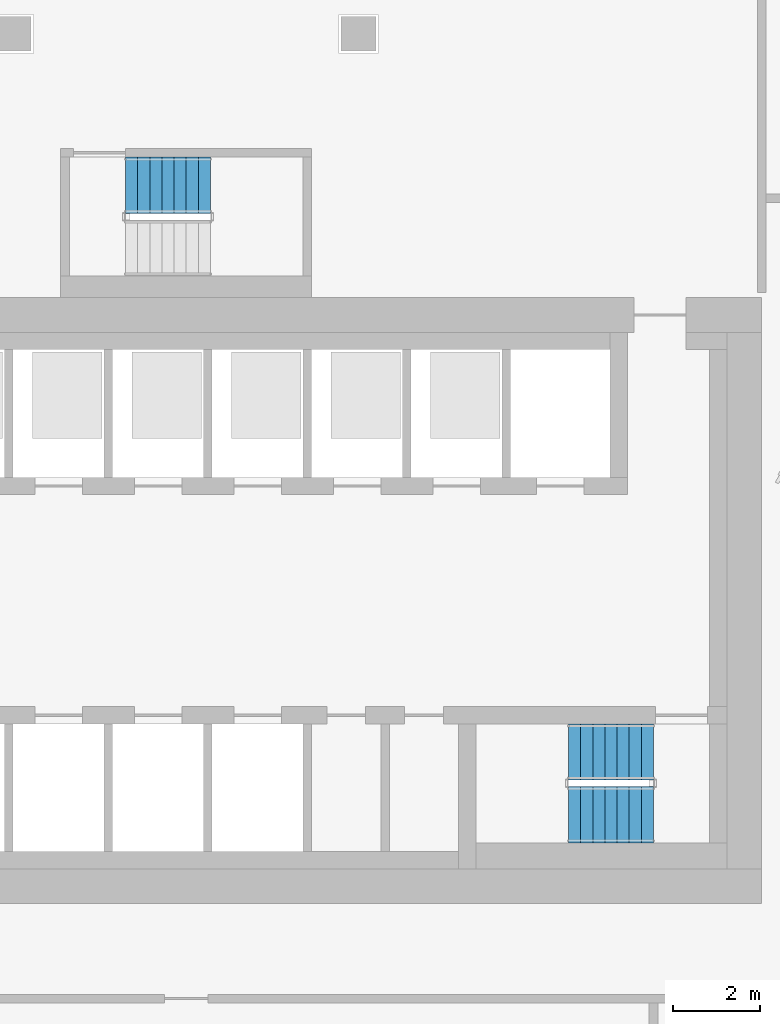
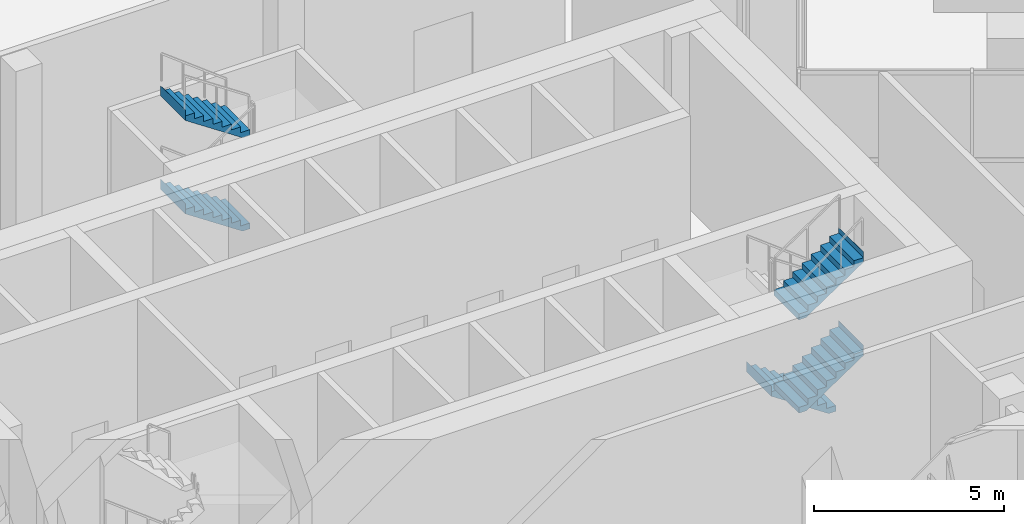
# One storey, part 20 of 27: 5 stair flights, 2 elements without a shape of their own.
"""IFC4 building model written with IfcOpenShell, lengths in metres."""

import ifcopenshell
import ifcopenshell.guid

model = None  # the IFC model being written
_history = None  # IfcOwnerHistory: only IFC2X3 demands one
_inside = {}  # id of a spatial element -> (the spatial element, [elements in it])
_under = {}  # id of a project, library or spatial element -> (it, [spatial elements below it])
_declared = {}  # id of a project -> (the project, [libraries it declares])
_typed = {}  # id of a type object -> (the type object, [elements of that type])
_made_of = {}  # id of a material, layer set ... -> (it, [elements and type objects made of it])


def new_model(schema):
    """Start an empty IFC model of exactly this schema.

    Asked for "IFC4X3", IfcOpenShell would pick the latest addendum, in which some entities
    have other attributes; the version numbers below select the first issue.
    IFC2X3 requires an IfcOwnerHistory on every rooted entity: one is made here for all.
    """
    global model, _history
    if schema == "IFC4X3":
        model = ifcopenshell.file(schema_version=(4, 3, 0, 0))
    else:
        model = ifcopenshell.file(schema=schema)
    _inside.clear()
    _under.clear()
    _declared.clear()
    _typed.clear()
    _made_of.clear()
    _history = None
    if model.schema == "IFC2X3":
        org = make("IfcOrganization", Name="unknown")
        user = make(
            "IfcPersonAndOrganization",
            ThePerson=make("IfcPerson", FamilyName="unknown"),
            TheOrganization=org,
        )
        app = make(
            "IfcApplication",
            ApplicationDeveloper=org,
            Version="unknown",
            ApplicationFullName="unknown",
            ApplicationIdentifier="unknown",
        )
        _history = make(
            "IfcOwnerHistory",
            OwningUser=user,
            OwningApplication=app,
            ChangeAction="ADDED",
            CreationDate=0,
        )
    return model


def make(cls, **values):
    """One entity of the class cls with the attributes given. An attribute that is None is left unset."""
    return model.create_entity(
        cls, **{name: value for name, value in values.items() if value is not None}
    )


def rooted(cls, **values):
    """An entity with a GlobalId (a new one), such as an element, a storey or a relation."""
    return make(cls, GlobalId=ifcopenshell.guid.new(), OwnerHistory=_history, **values)


def si_unit(unit_type, name, prefix=None):
    """IfcSIUnit, for example si_unit("LENGTHUNIT", "METRE", prefix="MILLI")."""
    return make("IfcSIUnit", UnitType=unit_type, Prefix=prefix, Name=name)


def assignment(units):
    """IfcUnitAssignment: the units of a project."""
    return None if units is None else make("IfcUnitAssignment", Units=units)


def point(xyz):
    """IfcCartesianPoint."""
    return None if xyz is None else make("IfcCartesianPoint", Coordinates=xyz)


def direction(xyz):
    """IfcDirection."""
    return None if xyz is None else make("IfcDirection", DirectionRatios=xyz)


def frame(location, z_axis=None, x_axis=None):
    """IfcAxis2Placement3D, a coordinate frame: its origin and axes. An axis left out is left unset."""
    return make(
        "IfcAxis2Placement3D",
        Location=point(location),
        Axis=direction(z_axis),
        RefDirection=direction(x_axis),
    )


def origin():
    """The frame at (0, 0, 0) with its axes left unset."""
    return frame((0.0, 0.0, 0.0))


def place(relative_to, where):
    """IfcLocalPlacement: puts the frame where relative to a parent placement (None: the world)."""
    return make(
        "IfcLocalPlacement", PlacementRelTo=relative_to, RelativePlacement=where
    )


def context(
    kind, dimensions, precision=None, world=None, true_north=None, identifier=None
):
    """IfcGeometricRepresentationContext, for example the 3D "Model" context."""
    return make(
        "IfcGeometricRepresentationContext",
        ContextIdentifier=identifier,
        ContextType=kind,
        CoordinateSpaceDimension=dimensions,
        Precision=precision,
        WorldCoordinateSystem=world,
        TrueNorth=true_north,
    )


def subcontext(parent, identifier, kind, view, scale=None):
    """IfcGeometricRepresentationSubContext, for example "Body" below "Model"."""
    return make(
        "IfcGeometricRepresentationSubContext",
        ContextIdentifier=identifier,
        ContextType=kind,
        ParentContext=parent,
        TargetScale=scale,
        TargetView=view,
    )


def project(units=None, contexts=None):
    """IfcProject with its units and contexts."""
    return rooted(
        "IfcProject",
        Name="project",
        RepresentationContexts=contexts,
        UnitsInContext=assignment(units),
    )


def spatial(cls, under=None, at=None, **own):
    """A site, building, storey or space (cls), placed at a placement, below another one or the project."""
    s = rooted(cls, ObjectPlacement=at, **own)
    if under is not None:
        _under.setdefault(under.id(), (under, []))[1].append(s)
    return s


def point_list(points):
    """IfcCartesianPointList2D or 3D."""
    cls = (
        "IfcCartesianPointList2D" if len(points[0]) == 2 else "IfcCartesianPointList3D"
    )
    return make(cls, CoordList=points)


def triangles(points, corners, closed=None, point_numbers=None):
    """IfcTriangulatedFaceSet: each triangle names its three corners, points numbered from 1."""
    return make(
        "IfcTriangulatedFaceSet",
        Coordinates=point_list(points),
        Closed=closed,
        CoordIndex=corners,
        PnIndex=point_numbers,
    )


def shape(context_of_items, identifier, shape_type, items):
    """IfcShapeRepresentation: the items that make up one representation, for example the "Body"."""
    return make(
        "IfcShapeRepresentation",
        ContextOfItems=context_of_items,
        RepresentationIdentifier=identifier,
        RepresentationType=shape_type,
        Items=items,
    )


def material(Name=None, Category=None):
    """IfcMaterial."""
    return make("IfcMaterial", Name=Name, Category=Category)


def made_of(thing, what):
    """Note that an element or type object is made of a material, layer set ...; save() writes the relation."""
    if what is not None:
        _made_of.setdefault(what.id(), (what, []))[1].append(thing)
    return thing


def type_object(cls, material=None, **own):
    """A type object (cls), such as IfcWallType, which elements share."""
    return made_of(rooted(cls, **own), material)


def element(
    cls,
    number,
    at=None,
    inside=None,
    cuts=None,
    type_object=None,
    material=None,
    context=None,
    identifier="Body",
    shape_type=None,
    held_by="IfcProductDefinitionShape",
    body=None,
    shapes=None,
    **own,
):
    """One element of the class cls, such as IfcWall. Its Tag is "e" and its number.

    at: its placement. inside: the storey or other place that contains it. cuts: it is an
    opening in that element (IfcRelVoidsElement). A single representation is given by context,
    identifier, shape_type and body (its items); several are given by shapes. held_by: the class
    of the entity that holds the representations. save() writes the other relations.
    """
    e = rooted(cls, Tag="e%d" % number, ObjectPlacement=at, **own)
    if body is not None:
        shapes = [shape(context, identifier, shape_type, body)]
    if shapes is not None:
        e.Representation = make(held_by, Representations=shapes)
    if inside is not None:
        _inside.setdefault(inside.id(), (inside, []))[1].append(e)
    if cuts is not None:
        rooted(
            "IfcRelVoidsElement", RelatingBuildingElement=cuts, RelatedOpeningElement=e
        )
    if type_object is not None:
        _typed.setdefault(type_object.id(), (type_object, []))[1].append(e)
    return made_of(e, material)


def aggregate(whole, parts):
    """IfcRelAggregates: a whole, such as a stair, and the parts it consists of."""
    return rooted("IfcRelAggregates", RelatingObject=whole, RelatedObjects=parts)


def save(model, path):
    """Write the relations noted so far, then the file.

    IfcRelAggregates (storeys below a building ...), IfcRelContainedInSpatialStructure (elements
    in a storey), IfcRelDefinesByType, IfcRelAssociatesMaterial and IfcRelDeclares: one each for
    every whole, place, type object, material and project.
    """
    for whole, parts in _under.values():
        aggregate(whole, parts)
    for where, things in _inside.values():
        rooted(
            "IfcRelContainedInSpatialStructure",
            RelatedElements=things,
            RelatingStructure=where,
        )
    for kind, things in _typed.values():
        rooted("IfcRelDefinesByType", RelatedObjects=things, RelatingType=kind)
    for what, things in _made_of.values():
        rooted("IfcRelAssociatesMaterial", RelatedObjects=things, RelatingMaterial=what)
    for by, libraries in _declared.values():
        rooted("IfcRelDeclares", RelatingContext=by, RelatedDefinitions=libraries)
    model.write(path)


model = new_model("IFC4")

# Units and contexts
model_context = context("Model", 3, precision=1e-05, world=origin(), true_north=direction((0.0, 1.0)))
body_context = subcontext(model_context, "Body", "Model", "MODEL_VIEW")
ifc_project = project(units=[si_unit("LENGTHUNIT", "METRE"), si_unit("AREAUNIT", "SQUARE_METRE"), si_unit("VOLUMEUNIT", "CUBIC_METRE"), si_unit("PLANEANGLEUNIT", "RADIAN"), si_unit("MASSUNIT", "GRAM", prefix="KILO")], contexts=[model_context])

# Site, building, storey
site_placement = place(None, origin())
site = spatial("IfcSite", under=ifc_project, at=site_placement, CompositionType="ELEMENT")
building_placement = place(site_placement, origin())
building = spatial("IfcBuilding", under=site, at=building_placement, Name="Beryl Residences", CompositionType="ELEMENT")
storey_placement = place(building_placement, frame((0.0, 0.0, 111.60009765625)))
storey = spatial("IfcBuildingStorey", under=building, at=storey_placement, Name="L34", CompositionType="ELEMENT", Elevation=111.60009765625)

# Stair, stair flights
ifc_material_1 = material(Name="Concrete C40/50", Category="concrete")
stair_type = type_object("IfcStairType", Name="ST1 protected exit stair, half-turn, 1300 mm flights", PredefinedType="HALF_TURN_STAIR", material=ifc_material_1)
stair_1_placement = place(storey_placement, origin())
stair_1 = element("IfcStair", 1, at=stair_1_placement, inside=storey, type_object=stair_type, Name="L34 PROTECTED EXIT STAIR ST-3", PredefinedType="HALF_TURN_STAIR")
ifc_material_2 = material(Name="Concrete C40/50", Category="concrete")
stair_flight_type = type_object("IfcStairFlightType", Name="SF1 stair flight 1300 mm", PredefinedType="STRAIGHT", material=ifc_material_2)
stair_flight_1_placement = place(storey_placement, frame((10.800048828125, -15.5, 0.0), z_axis=(0.0, 0.0, 1.0), x_axis=(-1.0, 0.0, 0.0)))
stair_flight_1 = element("IfcStairFlight", 2, at=stair_flight_1_placement, type_object=stair_flight_type, Name="ST-3 flight 1", NumberOfRisers=8, NumberOfTreads=7, PredefinedType="STRAIGHT", RiserHeight=0.1875, TreadLength=0.28, context=body_context, shape_type="Tessellation", body=[
    triangles([(0.0, -0.64990234375, 0.0), (0.0, -0.324951171875, 0.0), (0.0, 0.0, 0.0), (0.0, 0.324951171875, 0.0), (0.0, 0.64990234375, 0.0), (0.0, -0.64990234375, 0.1875), (0.0, -0.324951171875, 0.1875), (0.0, 0.0, 0.1875), (0.0, 0.324951171875, 0.1875), (0.0, 0.64990234375, 0.1875), (0.280029296875, -0.64990234375, 0.1875), (0.280029296875, -0.324951171875, 0.1875), (0.280029296875, 0.0, 0.1875), (0.280029296875, 0.324951171875, 0.1875), (0.280029296875, 0.64990234375, 0.1875), (0.280029296875, -0.64990234375, 0.375), (0.280029296875, -0.324951171875, 0.375), (0.280029296875, 0.0, 0.375), (0.280029296875, 0.324951171875, 0.375), (0.280029296875, 0.64990234375, 0.375), (0.56005859375, -0.64990234375, 0.375), (0.56005859375, -0.324951171875, 0.375), (0.56005859375, 0.0, 0.375), (0.56005859375, 0.324951171875, 0.375), (0.56005859375, 0.64990234375, 0.375), (0.56005859375, -0.64990234375, 0.5625), (0.56005859375, -0.324951171875, 0.5625), (0.56005859375, 0.0, 0.5625), (0.56005859375, 0.324951171875, 0.5625), (0.56005859375, 0.64990234375, 0.5625), (0.840087890625, -0.64990234375, 0.5625), (0.840087890625, -0.324951171875, 0.5625), (0.840087890625, 0.0, 0.5625), (0.840087890625, 0.324951171875, 0.5625), (0.840087890625, 0.64990234375, 0.5625), (0.840087890625, -0.64990234375, 0.75), (0.840087890625, -0.324951171875, 0.75), (0.840087890625, 0.0, 0.75), (0.840087890625, 0.324951171875, 0.75), (0.840087890625, 0.64990234375, 0.75), (1.1201171875, -0.64990234375, 0.75), (1.1201171875, -0.324951171875, 0.75), (1.1201171875, 0.0, 0.75), (1.1201171875, 0.324951171875, 0.75), (1.1201171875, 0.64990234375, 0.75), (1.1201171875, -0.64990234375, 0.9375), (1.1201171875, -0.324951171875, 0.9375), (1.1201171875, 0.0, 0.9375), (1.1201171875, 0.324951171875, 0.9375), (1.1201171875, 0.64990234375, 0.9375), (1.39990234375, -0.64990234375, 0.9375), (1.39990234375, -0.324951171875, 0.9375), (1.39990234375, 0.0, 0.9375), (1.39990234375, 0.324951171875, 0.9375), (1.39990234375, 0.64990234375, 0.9375), (1.39990234375, -0.64990234375, 1.125), (1.39990234375, -0.324951171875, 1.125), (1.39990234375, 0.0, 1.125), (1.39990234375, 0.324951171875, 1.125), (1.39990234375, 0.64990234375, 1.125), (1.679931640625, -0.64990234375, 1.125), (1.679931640625, -0.324951171875, 1.125), (1.679931640625, 0.0, 1.125), (1.679931640625, 0.324951171875, 1.125), (1.679931640625, 0.64990234375, 1.125), (1.679931640625, -0.64990234375, 1.3125), (1.679931640625, -0.324951171875, 1.3125), (1.679931640625, 0.0, 1.3125), (1.679931640625, 0.324951171875, 1.3125), (1.679931640625, 0.64990234375, 1.3125), (1.9599609375, -0.64990234375, 1.3125), (1.9599609375, -0.324951171875, 1.3125), (1.9599609375, 0.0, 1.3125), (1.9599609375, 0.324951171875, 1.3125), (1.9599609375, 0.64990234375, 1.3125), (1.9599609375, -0.64990234375, 1.5), (1.9599609375, -0.324951171875, 1.5), (1.9599609375, 0.0, 1.5), (1.9599609375, 0.324951171875, 1.5), (1.9599609375, 0.64990234375, 1.5), (1.9609375, -0.64990234375, 1.5), (1.9609375, -0.324951171875, 1.5), (1.9609375, 0.0, 1.5), (1.9609375, 0.324951171875, 1.5), (1.9609375, 0.64990234375, 1.5), (1.9609375, -0.64990234375, 1.16796875), (1.9609375, -0.324951171875, 1.16796875), (1.9609375, 0.0, 1.16796875), (1.9609375, 0.324951171875, 1.16796875), (1.9609375, 0.64990234375, 1.16796875), (0.216796875, -0.64990234375, 0.0), (0.216796875, -0.324951171875, 0.0), (0.216796875, 0.0, 0.0), (0.216796875, 0.324951171875, 0.0), (0.216796875, 0.64990234375, 0.0)], [[1, 6, 7], [1, 7, 2], [2, 7, 8], [2, 8, 3], [3, 8, 9], [3, 9, 4], [4, 9, 10], [4, 10, 5], [6, 11, 12], [6, 12, 7], [7, 12, 13], [7, 13, 8], [8, 13, 14], [8, 14, 9], [9, 14, 15], [9, 15, 10], [11, 16, 17], [11, 17, 12], [12, 17, 18], [12, 18, 13], [13, 18, 19], [13, 19, 14], [14, 19, 20], [14, 20, 15], [16, 21, 22], [16, 22, 17], [17, 22, 23], [17, 23, 18], [18, 23, 24], [18, 24, 19], [19, 24, 25], [19, 25, 20], [21, 26, 27], [21, 27, 22], [22, 27, 28], [22, 28, 23], [23, 28, 29], [23, 29, 24], [24, 29, 30], [24, 30, 25], [26, 31, 32], [26, 32, 27], [27, 32, 33], [27, 33, 28], [28, 33, 34], [28, 34, 29], [29, 34, 35], [29, 35, 30], [31, 36, 37], [31, 37, 32], [32, 37, 38], [32, 38, 33], [33, 38, 39], [33, 39, 34], [34, 39, 40], [34, 40, 35], [36, 41, 42], [36, 42, 37], [37, 42, 43], [37, 43, 38], [38, 43, 44], [38, 44, 39], [39, 44, 45], [39, 45, 40], [41, 46, 47], [41, 47, 42], [42, 47, 48], [42, 48, 43], [43, 48, 49], [43, 49, 44], [44, 49, 50], [44, 50, 45], [46, 51, 52], [46, 52, 47], [47, 52, 53], [47, 53, 48], [48, 53, 54], [48, 54, 49], [49, 54, 55], [49, 55, 50], [51, 56, 57], [51, 57, 52], [52, 57, 58], [52, 58, 53], [53, 58, 59], [53, 59, 54], [54, 59, 60], [54, 60, 55], [56, 61, 62], [56, 62, 57], [57, 62, 63], [57, 63, 58], [58, 63, 64], [58, 64, 59], [59, 64, 65], [59, 65, 60], [61, 66, 67], [61, 67, 62], [62, 67, 68], [62, 68, 63], [63, 68, 69], [63, 69, 64], [64, 69, 70], [64, 70, 65], [66, 71, 72], [66, 72, 67], [67, 72, 73], [67, 73, 68], [68, 73, 74], [68, 74, 69], [69, 74, 75], [69, 75, 70], [71, 76, 77], [71, 77, 72], [72, 77, 78], [72, 78, 73], [73, 78, 79], [73, 79, 74], [74, 79, 80], [74, 80, 75], [76, 81, 82], [76, 82, 77], [77, 82, 83], [77, 83, 78], [78, 83, 84], [78, 84, 79], [79, 84, 85], [79, 85, 80], [81, 86, 87], [81, 87, 82], [82, 87, 88], [82, 88, 83], [83, 88, 89], [83, 89, 84], [84, 89, 90], [84, 90, 85], [86, 91, 92], [86, 92, 87], [87, 92, 93], [87, 93, 88], [88, 93, 94], [88, 94, 89], [89, 94, 95], [89, 95, 90], [91, 1, 2], [91, 2, 92], [92, 2, 3], [92, 3, 93], [93, 3, 4], [93, 4, 94], [94, 4, 5], [94, 5, 95], [1, 91, 86], [5, 90, 95], [86, 81, 76], [90, 80, 85], [86, 76, 71], [90, 75, 80], [86, 71, 66], [90, 70, 75], [86, 66, 61], [90, 65, 70], [61, 56, 51], [65, 55, 60], [86, 61, 51], [90, 55, 65], [51, 46, 41], [55, 45, 50], [86, 51, 41], [90, 45, 55], [41, 36, 31], [45, 35, 40], [86, 41, 31], [90, 35, 45], [31, 26, 21], [35, 25, 30], [86, 31, 21], [90, 25, 35], [21, 16, 11], [25, 15, 20], [86, 21, 11], [90, 15, 25], [1, 86, 11], [5, 15, 90], [11, 6, 1], [15, 5, 10]], closed=True),
])
stair_flight_2_placement = place(storey_placement, frame((8.840087890625, -16.949951171875, 1.5), z_axis=(0.0, 0.0, 1.0), x_axis=(1.0, 0.0, 0.0)))
stair_flight_2 = element("IfcStairFlight", 3, at=stair_flight_2_placement, type_object=stair_flight_type, Name="ST-3 flight 2", NumberOfRisers=8, NumberOfTreads=7, PredefinedType="STRAIGHT", RiserHeight=0.1875, TreadLength=0.28, context=body_context, shape_type="Tessellation", body=[
    triangles([(0.0, -0.64990234375, 0.0), (0.0, -0.324951171875, 0.0), (0.0, 0.0, 0.0), (0.0, 0.324951171875, 0.0), (0.0, 0.64990234375, 0.0), (0.0, -0.64990234375, 0.1875), (0.0, -0.324951171875, 0.1875), (0.0, 0.0, 0.1875), (0.0, 0.324951171875, 0.1875), (0.0, 0.64990234375, 0.1875), (0.280029296875, -0.64990234375, 0.1875), (0.280029296875, -0.324951171875, 0.1875), (0.280029296875, 0.0, 0.1875), (0.280029296875, 0.324951171875, 0.1875), (0.280029296875, 0.64990234375, 0.1875), (0.280029296875, -0.64990234375, 0.375), (0.280029296875, -0.324951171875, 0.375), (0.280029296875, 0.0, 0.375), (0.280029296875, 0.324951171875, 0.375), (0.280029296875, 0.64990234375, 0.375), (0.56005859375, -0.64990234375, 0.375), (0.56005859375, -0.324951171875, 0.375), (0.56005859375, 0.0, 0.375), (0.56005859375, 0.324951171875, 0.375), (0.56005859375, 0.64990234375, 0.375), (0.56005859375, -0.64990234375, 0.5625), (0.56005859375, -0.324951171875, 0.5625), (0.56005859375, 0.0, 0.5625), (0.56005859375, 0.324951171875, 0.5625), (0.56005859375, 0.64990234375, 0.5625), (0.840087890625, -0.64990234375, 0.5625), (0.840087890625, -0.324951171875, 0.5625), (0.840087890625, 0.0, 0.5625), (0.840087890625, 0.324951171875, 0.5625), (0.840087890625, 0.64990234375, 0.5625), (0.840087890625, -0.64990234375, 0.75), (0.840087890625, -0.324951171875, 0.75), (0.840087890625, 0.0, 0.75), (0.840087890625, 0.324951171875, 0.75), (0.840087890625, 0.64990234375, 0.75), (1.1201171875, -0.64990234375, 0.75), (1.1201171875, -0.324951171875, 0.75), (1.1201171875, 0.0, 0.75), (1.1201171875, 0.324951171875, 0.75), (1.1201171875, 0.64990234375, 0.75), (1.1201171875, -0.64990234375, 0.9375), (1.1201171875, -0.324951171875, 0.9375), (1.1201171875, 0.0, 0.9375), (1.1201171875, 0.324951171875, 0.9375), (1.1201171875, 0.64990234375, 0.9375), (1.39990234375, -0.64990234375, 0.9375), (1.39990234375, -0.324951171875, 0.9375), (1.39990234375, 0.0, 0.9375), (1.39990234375, 0.324951171875, 0.9375), (1.39990234375, 0.64990234375, 0.9375), (1.39990234375, -0.64990234375, 1.125), (1.39990234375, -0.324951171875, 1.125), (1.39990234375, 0.0, 1.125), (1.39990234375, 0.324951171875, 1.125), (1.39990234375, 0.64990234375, 1.125), (1.679931640625, -0.64990234375, 1.125), (1.679931640625, -0.324951171875, 1.125), (1.679931640625, 0.0, 1.125), (1.679931640625, 0.324951171875, 1.125), (1.679931640625, 0.64990234375, 1.125), (1.679931640625, -0.64990234375, 1.3125), (1.679931640625, -0.324951171875, 1.3125), (1.679931640625, 0.0, 1.3125), (1.679931640625, 0.324951171875, 1.3125), (1.679931640625, 0.64990234375, 1.3125), (1.9599609375, -0.64990234375, 1.3125), (1.9599609375, -0.324951171875, 1.3125), (1.9599609375, 0.0, 1.3125), (1.9599609375, 0.324951171875, 1.3125), (1.9599609375, 0.64990234375, 1.3125), (1.9599609375, -0.64990234375, 1.5), (1.9599609375, -0.324951171875, 1.5), (1.9599609375, 0.0, 1.5), (1.9599609375, 0.324951171875, 1.5), (1.9599609375, 0.64990234375, 1.5), (1.9609375, -0.64990234375, 1.5), (1.9609375, -0.324951171875, 1.5), (1.9609375, 0.0, 1.5), (1.9609375, 0.324951171875, 1.5), (1.9609375, 0.64990234375, 1.5), (1.9609375, -0.64990234375, 1.16796875), (1.9609375, -0.324951171875, 1.16796875), (1.9609375, 0.0, 1.16796875), (1.9609375, 0.324951171875, 1.16796875), (1.9609375, 0.64990234375, 1.16796875), (0.216796875, -0.64990234375, 0.0), (0.216796875, -0.324951171875, 0.0), (0.216796875, 0.0, 0.0), (0.216796875, 0.324951171875, 0.0), (0.216796875, 0.64990234375, 0.0)], [[1, 6, 7], [1, 7, 2], [2, 7, 8], [2, 8, 3], [3, 8, 9], [3, 9, 4], [4, 9, 10], [4, 10, 5], [6, 11, 12], [6, 12, 7], [7, 12, 13], [7, 13, 8], [8, 13, 14], [8, 14, 9], [9, 14, 15], [9, 15, 10], [11, 16, 17], [11, 17, 12], [12, 17, 18], [12, 18, 13], [13, 18, 19], [13, 19, 14], [14, 19, 20], [14, 20, 15], [16, 21, 22], [16, 22, 17], [17, 22, 23], [17, 23, 18], [18, 23, 24], [18, 24, 19], [19, 24, 25], [19, 25, 20], [21, 26, 27], [21, 27, 22], [22, 27, 28], [22, 28, 23], [23, 28, 29], [23, 29, 24], [24, 29, 30], [24, 30, 25], [26, 31, 32], [26, 32, 27], [27, 32, 33], [27, 33, 28], [28, 33, 34], [28, 34, 29], [29, 34, 35], [29, 35, 30], [31, 36, 37], [31, 37, 32], [32, 37, 38], [32, 38, 33], [33, 38, 39], [33, 39, 34], [34, 39, 40], [34, 40, 35], [36, 41, 42], [36, 42, 37], [37, 42, 43], [37, 43, 38], [38, 43, 44], [38, 44, 39], [39, 44, 45], [39, 45, 40], [41, 46, 47], [41, 47, 42], [42, 47, 48], [42, 48, 43], [43, 48, 49], [43, 49, 44], [44, 49, 50], [44, 50, 45], [46, 51, 52], [46, 52, 47], [47, 52, 53], [47, 53, 48], [48, 53, 54], [48, 54, 49], [49, 54, 55], [49, 55, 50], [51, 56, 57], [51, 57, 52], [52, 57, 58], [52, 58, 53], [53, 58, 59], [53, 59, 54], [54, 59, 60], [54, 60, 55], [56, 61, 62], [56, 62, 57], [57, 62, 63], [57, 63, 58], [58, 63, 64], [58, 64, 59], [59, 64, 65], [59, 65, 60], [61, 66, 67], [61, 67, 62], [62, 67, 68], [62, 68, 63], [63, 68, 69], [63, 69, 64], [64, 69, 70], [64, 70, 65], [66, 71, 72], [66, 72, 67], [67, 72, 73], [67, 73, 68], [68, 73, 74], [68, 74, 69], [69, 74, 75], [69, 75, 70], [71, 76, 77], [71, 77, 72], [72, 77, 78], [72, 78, 73], [73, 78, 79], [73, 79, 74], [74, 79, 80], [74, 80, 75], [76, 81, 82], [76, 82, 77], [77, 82, 83], [77, 83, 78], [78, 83, 84], [78, 84, 79], [79, 84, 85], [79, 85, 80], [81, 86, 87], [81, 87, 82], [82, 87, 88], [82, 88, 83], [83, 88, 89], [83, 89, 84], [84, 89, 90], [84, 90, 85], [86, 91, 92], [86, 92, 87], [87, 92, 93], [87, 93, 88], [88, 93, 94], [88, 94, 89], [89, 94, 95], [89, 95, 90], [91, 1, 2], [91, 2, 92], [92, 2, 3], [92, 3, 93], [93, 3, 4], [93, 4, 94], [94, 4, 5], [94, 5, 95], [1, 91, 86], [5, 90, 95], [86, 81, 76], [90, 80, 85], [86, 76, 71], [90, 75, 80], [86, 71, 66], [90, 70, 75], [86, 66, 61], [90, 65, 70], [61, 56, 51], [65, 55, 60], [86, 61, 51], [90, 55, 65], [51, 46, 41], [55, 45, 50], [86, 51, 41], [90, 45, 55], [41, 36, 31], [45, 35, 40], [86, 41, 31], [90, 35, 45], [31, 26, 21], [35, 25, 30], [86, 31, 21], [90, 25, 35], [21, 16, 11], [25, 15, 20], [86, 21, 11], [90, 15, 25], [1, 86, 11], [5, 15, 90], [11, 6, 1], [15, 5, 10]], closed=True),
])
stair_flight_3_placement = place(storey_placement, frame((8.840087890625, -16.949951171875, 4.5), z_axis=(0.0, 0.0, 1.0), x_axis=(1.0, 0.0, 0.0)))
stair_flight_3 = element("IfcStairFlight", 4, at=stair_flight_3_placement, type_object=stair_flight_type, Name="ST-3 flight 4", NumberOfRisers=8, NumberOfTreads=7, PredefinedType="STRAIGHT", RiserHeight=0.1875, TreadLength=0.28, context=body_context, shape_type="Tessellation", body=[
    triangles([(0.0, -0.64990234375, 0.0), (0.0, -0.324951171875, 0.0), (0.0, 0.0, 0.0), (0.0, 0.324951171875, 0.0), (0.0, 0.64990234375, 0.0), (0.0, -0.64990234375, 0.1875), (0.0, -0.324951171875, 0.1875), (0.0, 0.0, 0.1875), (0.0, 0.324951171875, 0.1875), (0.0, 0.64990234375, 0.1875), (0.280029296875, -0.64990234375, 0.1875), (0.280029296875, -0.324951171875, 0.1875), (0.280029296875, 0.0, 0.1875), (0.280029296875, 0.324951171875, 0.1875), (0.280029296875, 0.64990234375, 0.1875), (0.280029296875, -0.64990234375, 0.375), (0.280029296875, -0.324951171875, 0.375), (0.280029296875, 0.0, 0.375), (0.280029296875, 0.324951171875, 0.375), (0.280029296875, 0.64990234375, 0.375), (0.56005859375, -0.64990234375, 0.375), (0.56005859375, -0.324951171875, 0.375), (0.56005859375, 0.0, 0.375), (0.56005859375, 0.324951171875, 0.375), (0.56005859375, 0.64990234375, 0.375), (0.56005859375, -0.64990234375, 0.5625), (0.56005859375, -0.324951171875, 0.5625), (0.56005859375, 0.0, 0.5625), (0.56005859375, 0.324951171875, 0.5625), (0.56005859375, 0.64990234375, 0.5625), (0.840087890625, -0.64990234375, 0.5625), (0.840087890625, -0.324951171875, 0.5625), (0.840087890625, 0.0, 0.5625), (0.840087890625, 0.324951171875, 0.5625), (0.840087890625, 0.64990234375, 0.5625), (0.840087890625, -0.64990234375, 0.75), (0.840087890625, -0.324951171875, 0.75), (0.840087890625, 0.0, 0.75), (0.840087890625, 0.324951171875, 0.75), (0.840087890625, 0.64990234375, 0.75), (1.1201171875, -0.64990234375, 0.75), (1.1201171875, -0.324951171875, 0.75), (1.1201171875, 0.0, 0.75), (1.1201171875, 0.324951171875, 0.75), (1.1201171875, 0.64990234375, 0.75), (1.1201171875, -0.64990234375, 0.9375), (1.1201171875, -0.324951171875, 0.9375), (1.1201171875, 0.0, 0.9375), (1.1201171875, 0.324951171875, 0.9375), (1.1201171875, 0.64990234375, 0.9375), (1.39990234375, -0.64990234375, 0.9375), (1.39990234375, -0.324951171875, 0.9375), (1.39990234375, 0.0, 0.9375), (1.39990234375, 0.324951171875, 0.9375), (1.39990234375, 0.64990234375, 0.9375), (1.39990234375, -0.64990234375, 1.125), (1.39990234375, -0.324951171875, 1.125), (1.39990234375, 0.0, 1.125), (1.39990234375, 0.324951171875, 1.125), (1.39990234375, 0.64990234375, 1.125), (1.679931640625, -0.64990234375, 1.125), (1.679931640625, -0.324951171875, 1.125), (1.679931640625, 0.0, 1.125), (1.679931640625, 0.324951171875, 1.125), (1.679931640625, 0.64990234375, 1.125), (1.679931640625, -0.64990234375, 1.3125), (1.679931640625, -0.324951171875, 1.3125), (1.679931640625, 0.0, 1.3125), (1.679931640625, 0.324951171875, 1.3125), (1.679931640625, 0.64990234375, 1.3125), (1.9599609375, -0.64990234375, 1.3125), (1.9599609375, -0.324951171875, 1.3125), (1.9599609375, 0.0, 1.3125), (1.9599609375, 0.324951171875, 1.3125), (1.9599609375, 0.64990234375, 1.3125), (1.9599609375, -0.64990234375, 1.5), (1.9599609375, -0.324951171875, 1.5), (1.9599609375, 0.0, 1.5), (1.9599609375, 0.324951171875, 1.5), (1.9599609375, 0.64990234375, 1.5), (1.9609375, -0.64990234375, 1.5), (1.9609375, -0.324951171875, 1.5), (1.9609375, 0.0, 1.5), (1.9609375, 0.324951171875, 1.5), (1.9609375, 0.64990234375, 1.5), (1.9609375, -0.64990234375, 1.16796875), (1.9609375, -0.324951171875, 1.16796875), (1.9609375, 0.0, 1.16796875), (1.9609375, 0.324951171875, 1.16796875), (1.9609375, 0.64990234375, 1.16796875), (0.216796875, -0.64990234375, 0.0), (0.216796875, -0.324951171875, 0.0), (0.216796875, 0.0, 0.0), (0.216796875, 0.324951171875, 0.0), (0.216796875, 0.64990234375, 0.0)], [[1, 6, 7], [1, 7, 2], [2, 7, 8], [2, 8, 3], [3, 8, 9], [3, 9, 4], [4, 9, 10], [4, 10, 5], [6, 11, 12], [6, 12, 7], [7, 12, 13], [7, 13, 8], [8, 13, 14], [8, 14, 9], [9, 14, 15], [9, 15, 10], [11, 16, 17], [11, 17, 12], [12, 17, 18], [12, 18, 13], [13, 18, 19], [13, 19, 14], [14, 19, 20], [14, 20, 15], [16, 21, 22], [16, 22, 17], [17, 22, 23], [17, 23, 18], [18, 23, 24], [18, 24, 19], [19, 24, 25], [19, 25, 20], [21, 26, 27], [21, 27, 22], [22, 27, 28], [22, 28, 23], [23, 28, 29], [23, 29, 24], [24, 29, 30], [24, 30, 25], [26, 31, 32], [26, 32, 27], [27, 32, 33], [27, 33, 28], [28, 33, 34], [28, 34, 29], [29, 34, 35], [29, 35, 30], [31, 36, 37], [31, 37, 32], [32, 37, 38], [32, 38, 33], [33, 38, 39], [33, 39, 34], [34, 39, 40], [34, 40, 35], [36, 41, 42], [36, 42, 37], [37, 42, 43], [37, 43, 38], [38, 43, 44], [38, 44, 39], [39, 44, 45], [39, 45, 40], [41, 46, 47], [41, 47, 42], [42, 47, 48], [42, 48, 43], [43, 48, 49], [43, 49, 44], [44, 49, 50], [44, 50, 45], [46, 51, 52], [46, 52, 47], [47, 52, 53], [47, 53, 48], [48, 53, 54], [48, 54, 49], [49, 54, 55], [49, 55, 50], [51, 56, 57], [51, 57, 52], [52, 57, 58], [52, 58, 53], [53, 58, 59], [53, 59, 54], [54, 59, 60], [54, 60, 55], [56, 61, 62], [56, 62, 57], [57, 62, 63], [57, 63, 58], [58, 63, 64], [58, 64, 59], [59, 64, 65], [59, 65, 60], [61, 66, 67], [61, 67, 62], [62, 67, 68], [62, 68, 63], [63, 68, 69], [63, 69, 64], [64, 69, 70], [64, 70, 65], [66, 71, 72], [66, 72, 67], [67, 72, 73], [67, 73, 68], [68, 73, 74], [68, 74, 69], [69, 74, 75], [69, 75, 70], [71, 76, 77], [71, 77, 72], [72, 77, 78], [72, 78, 73], [73, 78, 79], [73, 79, 74], [74, 79, 80], [74, 80, 75], [76, 81, 82], [76, 82, 77], [77, 82, 83], [77, 83, 78], [78, 83, 84], [78, 84, 79], [79, 84, 85], [79, 85, 80], [81, 86, 87], [81, 87, 82], [82, 87, 88], [82, 88, 83], [83, 88, 89], [83, 89, 84], [84, 89, 90], [84, 90, 85], [86, 91, 92], [86, 92, 87], [87, 92, 93], [87, 93, 88], [88, 93, 94], [88, 94, 89], [89, 94, 95], [89, 95, 90], [91, 1, 2], [91, 2, 92], [92, 2, 3], [92, 3, 93], [93, 3, 4], [93, 4, 94], [94, 4, 5], [94, 5, 95], [1, 91, 86], [5, 90, 95], [86, 81, 76], [90, 80, 85], [86, 76, 71], [90, 75, 80], [86, 71, 66], [90, 70, 75], [86, 66, 61], [90, 65, 70], [61, 56, 51], [65, 55, 60], [86, 61, 51], [90, 55, 65], [51, 46, 41], [55, 45, 50], [86, 51, 41], [90, 45, 55], [41, 36, 31], [45, 35, 40], [86, 41, 31], [90, 35, 45], [31, 26, 21], [35, 25, 30], [86, 31, 21], [90, 25, 35], [21, 16, 11], [25, 15, 20], [86, 21, 11], [90, 15, 25], [1, 86, 11], [5, 15, 90], [11, 6, 1], [15, 5, 10]], closed=True),
])
aggregate(stair_1, [stair_flight_1, stair_flight_2, stair_flight_3])

stair_2_placement = place(storey_placement, origin())
stair_2 = element("IfcStair", 5, at=stair_2_placement, inside=storey, type_object=stair_type, Name="L34 PROTECTED EXIT STAIR ST-4", PredefinedType="HALF_TURN_STAIR")
stair_flight_4_placement = place(storey_placement, frame((0.56005859375, -2.39990234375, 1.5), z_axis=(0.0, 0.0, 1.0), x_axis=(-1.0, 0.0, 0.0)))
stair_flight_4 = element("IfcStairFlight", 6, at=stair_flight_4_placement, type_object=stair_flight_type, Name="ST-4 flight 2", NumberOfRisers=8, NumberOfTreads=7, PredefinedType="STRAIGHT", RiserHeight=0.1875, TreadLength=0.28, context=body_context, shape_type="Tessellation", body=[
    triangles([(0.0, -0.64990234375, 0.0), (0.0, -0.324951171875, 0.0), (0.0, 0.0, 0.0), (0.0, 0.324951171875, 0.0), (0.0, 0.64990234375, 0.0), (0.0, -0.64990234375, 0.1875), (0.0, -0.324951171875, 0.1875), (0.0, 0.0, 0.1875), (0.0, 0.324951171875, 0.1875), (0.0, 0.64990234375, 0.1875), (0.280029296875, -0.64990234375, 0.1875), (0.280029296875, -0.324951171875, 0.1875), (0.280029296875, 0.0, 0.1875), (0.280029296875, 0.324951171875, 0.1875), (0.280029296875, 0.64990234375, 0.1875), (0.280029296875, -0.64990234375, 0.375), (0.280029296875, -0.324951171875, 0.375), (0.280029296875, 0.0, 0.375), (0.280029296875, 0.324951171875, 0.375), (0.280029296875, 0.64990234375, 0.375), (0.56005859375, -0.64990234375, 0.375), (0.56005859375, -0.324951171875, 0.375), (0.56005859375, 0.0, 0.375), (0.56005859375, 0.324951171875, 0.375), (0.56005859375, 0.64990234375, 0.375), (0.56005859375, -0.64990234375, 0.5625), (0.56005859375, -0.324951171875, 0.5625), (0.56005859375, 0.0, 0.5625), (0.56005859375, 0.324951171875, 0.5625), (0.56005859375, 0.64990234375, 0.5625), (0.840087890625, -0.64990234375, 0.5625), (0.840087890625, -0.324951171875, 0.5625), (0.840087890625, 0.0, 0.5625), (0.840087890625, 0.324951171875, 0.5625), (0.840087890625, 0.64990234375, 0.5625), (0.840087890625, -0.64990234375, 0.75), (0.840087890625, -0.324951171875, 0.75), (0.840087890625, 0.0, 0.75), (0.840087890625, 0.324951171875, 0.75), (0.840087890625, 0.64990234375, 0.75), (1.1201171875, -0.64990234375, 0.75), (1.1201171875, -0.324951171875, 0.75), (1.1201171875, 0.0, 0.75), (1.1201171875, 0.324951171875, 0.75), (1.1201171875, 0.64990234375, 0.75), (1.1201171875, -0.64990234375, 0.9375), (1.1201171875, -0.324951171875, 0.9375), (1.1201171875, 0.0, 0.9375), (1.1201171875, 0.324951171875, 0.9375), (1.1201171875, 0.64990234375, 0.9375), (1.39990234375, -0.64990234375, 0.9375), (1.39990234375, -0.324951171875, 0.9375), (1.39990234375, 0.0, 0.9375), (1.39990234375, 0.324951171875, 0.9375), (1.39990234375, 0.64990234375, 0.9375), (1.39990234375, -0.64990234375, 1.125), (1.39990234375, -0.324951171875, 1.125), (1.39990234375, 0.0, 1.125), (1.39990234375, 0.324951171875, 1.125), (1.39990234375, 0.64990234375, 1.125), (1.679931640625, -0.64990234375, 1.125), (1.679931640625, -0.324951171875, 1.125), (1.679931640625, 0.0, 1.125), (1.679931640625, 0.324951171875, 1.125), (1.679931640625, 0.64990234375, 1.125), (1.679931640625, -0.64990234375, 1.3125), (1.679931640625, -0.324951171875, 1.3125), (1.679931640625, 0.0, 1.3125), (1.679931640625, 0.324951171875, 1.3125), (1.679931640625, 0.64990234375, 1.3125), (1.9599609375, -0.64990234375, 1.3125), (1.9599609375, -0.324951171875, 1.3125), (1.9599609375, 0.0, 1.3125), (1.9599609375, 0.324951171875, 1.3125), (1.9599609375, 0.64990234375, 1.3125), (1.9599609375, -0.64990234375, 1.5), (1.9599609375, -0.324951171875, 1.5), (1.9599609375, 0.0, 1.5), (1.9599609375, 0.324951171875, 1.5), (1.9599609375, 0.64990234375, 1.5), (1.9609375, -0.64990234375, 1.5), (1.9609375, -0.324951171875, 1.5), (1.9609375, 0.0, 1.5), (1.9609375, 0.324951171875, 1.5), (1.9609375, 0.64990234375, 1.5), (1.9609375, -0.64990234375, 1.16796875), (1.9609375, -0.324951171875, 1.16796875), (1.9609375, 0.0, 1.16796875), (1.9609375, 0.324951171875, 1.16796875), (1.9609375, 0.64990234375, 1.16796875), (0.216796875, -0.64990234375, 0.0), (0.216796875, -0.324951171875, 0.0), (0.216796875, 0.0, 0.0), (0.216796875, 0.324951171875, 0.0), (0.216796875, 0.64990234375, 0.0)], [[1, 6, 7], [1, 7, 2], [2, 7, 8], [2, 8, 3], [3, 8, 9], [3, 9, 4], [4, 9, 10], [4, 10, 5], [6, 11, 12], [6, 12, 7], [7, 12, 13], [7, 13, 8], [8, 13, 14], [8, 14, 9], [9, 14, 15], [9, 15, 10], [11, 16, 17], [11, 17, 12], [12, 17, 18], [12, 18, 13], [13, 18, 19], [13, 19, 14], [14, 19, 20], [14, 20, 15], [16, 21, 22], [16, 22, 17], [17, 22, 23], [17, 23, 18], [18, 23, 24], [18, 24, 19], [19, 24, 25], [19, 25, 20], [21, 26, 27], [21, 27, 22], [22, 27, 28], [22, 28, 23], [23, 28, 29], [23, 29, 24], [24, 29, 30], [24, 30, 25], [26, 31, 32], [26, 32, 27], [27, 32, 33], [27, 33, 28], [28, 33, 34], [28, 34, 29], [29, 34, 35], [29, 35, 30], [31, 36, 37], [31, 37, 32], [32, 37, 38], [32, 38, 33], [33, 38, 39], [33, 39, 34], [34, 39, 40], [34, 40, 35], [36, 41, 42], [36, 42, 37], [37, 42, 43], [37, 43, 38], [38, 43, 44], [38, 44, 39], [39, 44, 45], [39, 45, 40], [41, 46, 47], [41, 47, 42], [42, 47, 48], [42, 48, 43], [43, 48, 49], [43, 49, 44], [44, 49, 50], [44, 50, 45], [46, 51, 52], [46, 52, 47], [47, 52, 53], [47, 53, 48], [48, 53, 54], [48, 54, 49], [49, 54, 55], [49, 55, 50], [51, 56, 57], [51, 57, 52], [52, 57, 58], [52, 58, 53], [53, 58, 59], [53, 59, 54], [54, 59, 60], [54, 60, 55], [56, 61, 62], [56, 62, 57], [57, 62, 63], [57, 63, 58], [58, 63, 64], [58, 64, 59], [59, 64, 65], [59, 65, 60], [61, 66, 67], [61, 67, 62], [62, 67, 68], [62, 68, 63], [63, 68, 69], [63, 69, 64], [64, 69, 70], [64, 70, 65], [66, 71, 72], [66, 72, 67], [67, 72, 73], [67, 73, 68], [68, 73, 74], [68, 74, 69], [69, 74, 75], [69, 75, 70], [71, 76, 77], [71, 77, 72], [72, 77, 78], [72, 78, 73], [73, 78, 79], [73, 79, 74], [74, 79, 80], [74, 80, 75], [76, 81, 82], [76, 82, 77], [77, 82, 83], [77, 83, 78], [78, 83, 84], [78, 84, 79], [79, 84, 85], [79, 85, 80], [81, 86, 87], [81, 87, 82], [82, 87, 88], [82, 88, 83], [83, 88, 89], [83, 89, 84], [84, 89, 90], [84, 90, 85], [86, 91, 92], [86, 92, 87], [87, 92, 93], [87, 93, 88], [88, 93, 94], [88, 94, 89], [89, 94, 95], [89, 95, 90], [91, 1, 2], [91, 2, 92], [92, 2, 3], [92, 3, 93], [93, 3, 4], [93, 4, 94], [94, 4, 5], [94, 5, 95], [1, 91, 86], [5, 90, 95], [86, 81, 76], [90, 80, 85], [86, 76, 71], [90, 75, 80], [86, 71, 66], [90, 70, 75], [86, 66, 61], [90, 65, 70], [61, 56, 51], [65, 55, 60], [86, 61, 51], [90, 55, 65], [51, 46, 41], [55, 45, 50], [86, 51, 41], [90, 45, 55], [41, 36, 31], [45, 35, 40], [86, 41, 31], [90, 35, 45], [31, 26, 21], [35, 25, 30], [86, 31, 21], [90, 25, 35], [21, 16, 11], [25, 15, 20], [86, 21, 11], [90, 15, 25], [1, 86, 11], [5, 15, 90], [11, 6, 1], [15, 5, 10]], closed=True),
])
stair_flight_5_placement = place(storey_placement, frame((0.56005859375, -2.39990234375, 4.5), z_axis=(0.0, 0.0, 1.0), x_axis=(-1.0, 0.0, 0.0)))
stair_flight_5 = element("IfcStairFlight", 7, at=stair_flight_5_placement, type_object=stair_flight_type, Name="ST-4 flight 4", NumberOfRisers=8, NumberOfTreads=7, PredefinedType="STRAIGHT", RiserHeight=0.1875, TreadLength=0.28, context=body_context, shape_type="Tessellation", body=[
    triangles([(0.0, -0.64990234375, 0.0), (0.0, -0.324951171875, 0.0), (0.0, 0.0, 0.0), (0.0, 0.324951171875, 0.0), (0.0, 0.64990234375, 0.0), (0.0, -0.64990234375, 0.1875), (0.0, -0.324951171875, 0.1875), (0.0, 0.0, 0.1875), (0.0, 0.324951171875, 0.1875), (0.0, 0.64990234375, 0.1875), (0.280029296875, -0.64990234375, 0.1875), (0.280029296875, -0.324951171875, 0.1875), (0.280029296875, 0.0, 0.1875), (0.280029296875, 0.324951171875, 0.1875), (0.280029296875, 0.64990234375, 0.1875), (0.280029296875, -0.64990234375, 0.375), (0.280029296875, -0.324951171875, 0.375), (0.280029296875, 0.0, 0.375), (0.280029296875, 0.324951171875, 0.375), (0.280029296875, 0.64990234375, 0.375), (0.56005859375, -0.64990234375, 0.375), (0.56005859375, -0.324951171875, 0.375), (0.56005859375, 0.0, 0.375), (0.56005859375, 0.324951171875, 0.375), (0.56005859375, 0.64990234375, 0.375), (0.56005859375, -0.64990234375, 0.5625), (0.56005859375, -0.324951171875, 0.5625), (0.56005859375, 0.0, 0.5625), (0.56005859375, 0.324951171875, 0.5625), (0.56005859375, 0.64990234375, 0.5625), (0.840087890625, -0.64990234375, 0.5625), (0.840087890625, -0.324951171875, 0.5625), (0.840087890625, 0.0, 0.5625), (0.840087890625, 0.324951171875, 0.5625), (0.840087890625, 0.64990234375, 0.5625), (0.840087890625, -0.64990234375, 0.75), (0.840087890625, -0.324951171875, 0.75), (0.840087890625, 0.0, 0.75), (0.840087890625, 0.324951171875, 0.75), (0.840087890625, 0.64990234375, 0.75), (1.1201171875, -0.64990234375, 0.75), (1.1201171875, -0.324951171875, 0.75), (1.1201171875, 0.0, 0.75), (1.1201171875, 0.324951171875, 0.75), (1.1201171875, 0.64990234375, 0.75), (1.1201171875, -0.64990234375, 0.9375), (1.1201171875, -0.324951171875, 0.9375), (1.1201171875, 0.0, 0.9375), (1.1201171875, 0.324951171875, 0.9375), (1.1201171875, 0.64990234375, 0.9375), (1.39990234375, -0.64990234375, 0.9375), (1.39990234375, -0.324951171875, 0.9375), (1.39990234375, 0.0, 0.9375), (1.39990234375, 0.324951171875, 0.9375), (1.39990234375, 0.64990234375, 0.9375), (1.39990234375, -0.64990234375, 1.125), (1.39990234375, -0.324951171875, 1.125), (1.39990234375, 0.0, 1.125), (1.39990234375, 0.324951171875, 1.125), (1.39990234375, 0.64990234375, 1.125), (1.679931640625, -0.64990234375, 1.125), (1.679931640625, -0.324951171875, 1.125), (1.679931640625, 0.0, 1.125), (1.679931640625, 0.324951171875, 1.125), (1.679931640625, 0.64990234375, 1.125), (1.679931640625, -0.64990234375, 1.3125), (1.679931640625, -0.324951171875, 1.3125), (1.679931640625, 0.0, 1.3125), (1.679931640625, 0.324951171875, 1.3125), (1.679931640625, 0.64990234375, 1.3125), (1.9599609375, -0.64990234375, 1.3125), (1.9599609375, -0.324951171875, 1.3125), (1.9599609375, 0.0, 1.3125), (1.9599609375, 0.324951171875, 1.3125), (1.9599609375, 0.64990234375, 1.3125), (1.9599609375, -0.64990234375, 1.5), (1.9599609375, -0.324951171875, 1.5), (1.9599609375, 0.0, 1.5), (1.9599609375, 0.324951171875, 1.5), (1.9599609375, 0.64990234375, 1.5), (1.9609375, -0.64990234375, 1.5), (1.9609375, -0.324951171875, 1.5), (1.9609375, 0.0, 1.5), (1.9609375, 0.324951171875, 1.5), (1.9609375, 0.64990234375, 1.5), (1.9609375, -0.64990234375, 1.16796875), (1.9609375, -0.324951171875, 1.16796875), (1.9609375, 0.0, 1.16796875), (1.9609375, 0.324951171875, 1.16796875), (1.9609375, 0.64990234375, 1.16796875), (0.216796875, -0.64990234375, 0.0), (0.216796875, -0.324951171875, 0.0), (0.216796875, 0.0, 0.0), (0.216796875, 0.324951171875, 0.0), (0.216796875, 0.64990234375, 0.0)], [[1, 6, 7], [1, 7, 2], [2, 7, 8], [2, 8, 3], [3, 8, 9], [3, 9, 4], [4, 9, 10], [4, 10, 5], [6, 11, 12], [6, 12, 7], [7, 12, 13], [7, 13, 8], [8, 13, 14], [8, 14, 9], [9, 14, 15], [9, 15, 10], [11, 16, 17], [11, 17, 12], [12, 17, 18], [12, 18, 13], [13, 18, 19], [13, 19, 14], [14, 19, 20], [14, 20, 15], [16, 21, 22], [16, 22, 17], [17, 22, 23], [17, 23, 18], [18, 23, 24], [18, 24, 19], [19, 24, 25], [19, 25, 20], [21, 26, 27], [21, 27, 22], [22, 27, 28], [22, 28, 23], [23, 28, 29], [23, 29, 24], [24, 29, 30], [24, 30, 25], [26, 31, 32], [26, 32, 27], [27, 32, 33], [27, 33, 28], [28, 33, 34], [28, 34, 29], [29, 34, 35], [29, 35, 30], [31, 36, 37], [31, 37, 32], [32, 37, 38], [32, 38, 33], [33, 38, 39], [33, 39, 34], [34, 39, 40], [34, 40, 35], [36, 41, 42], [36, 42, 37], [37, 42, 43], [37, 43, 38], [38, 43, 44], [38, 44, 39], [39, 44, 45], [39, 45, 40], [41, 46, 47], [41, 47, 42], [42, 47, 48], [42, 48, 43], [43, 48, 49], [43, 49, 44], [44, 49, 50], [44, 50, 45], [46, 51, 52], [46, 52, 47], [47, 52, 53], [47, 53, 48], [48, 53, 54], [48, 54, 49], [49, 54, 55], [49, 55, 50], [51, 56, 57], [51, 57, 52], [52, 57, 58], [52, 58, 53], [53, 58, 59], [53, 59, 54], [54, 59, 60], [54, 60, 55], [56, 61, 62], [56, 62, 57], [57, 62, 63], [57, 63, 58], [58, 63, 64], [58, 64, 59], [59, 64, 65], [59, 65, 60], [61, 66, 67], [61, 67, 62], [62, 67, 68], [62, 68, 63], [63, 68, 69], [63, 69, 64], [64, 69, 70], [64, 70, 65], [66, 71, 72], [66, 72, 67], [67, 72, 73], [67, 73, 68], [68, 73, 74], [68, 74, 69], [69, 74, 75], [69, 75, 70], [71, 76, 77], [71, 77, 72], [72, 77, 78], [72, 78, 73], [73, 78, 79], [73, 79, 74], [74, 79, 80], [74, 80, 75], [76, 81, 82], [76, 82, 77], [77, 82, 83], [77, 83, 78], [78, 83, 84], [78, 84, 79], [79, 84, 85], [79, 85, 80], [81, 86, 87], [81, 87, 82], [82, 87, 88], [82, 88, 83], [83, 88, 89], [83, 89, 84], [84, 89, 90], [84, 90, 85], [86, 91, 92], [86, 92, 87], [87, 92, 93], [87, 93, 88], [88, 93, 94], [88, 94, 89], [89, 94, 95], [89, 95, 90], [91, 1, 2], [91, 2, 92], [92, 2, 3], [92, 3, 93], [93, 3, 4], [93, 4, 94], [94, 4, 5], [94, 5, 95], [1, 91, 86], [5, 90, 95], [86, 81, 76], [90, 80, 85], [86, 76, 71], [90, 75, 80], [86, 71, 66], [90, 70, 75], [86, 66, 61], [90, 65, 70], [61, 56, 51], [65, 55, 60], [86, 61, 51], [90, 55, 65], [51, 46, 41], [55, 45, 50], [86, 51, 41], [90, 45, 55], [41, 36, 31], [45, 35, 40], [86, 41, 31], [90, 35, 45], [31, 26, 21], [35, 25, 30], [86, 31, 21], [90, 25, 35], [21, 16, 11], [25, 15, 20], [86, 21, 11], [90, 15, 25], [1, 86, 11], [5, 15, 90], [11, 6, 1], [15, 5, 10]], closed=True),
])
aggregate(stair_2, [stair_flight_4, stair_flight_5])

save(model, "model.ifc")
